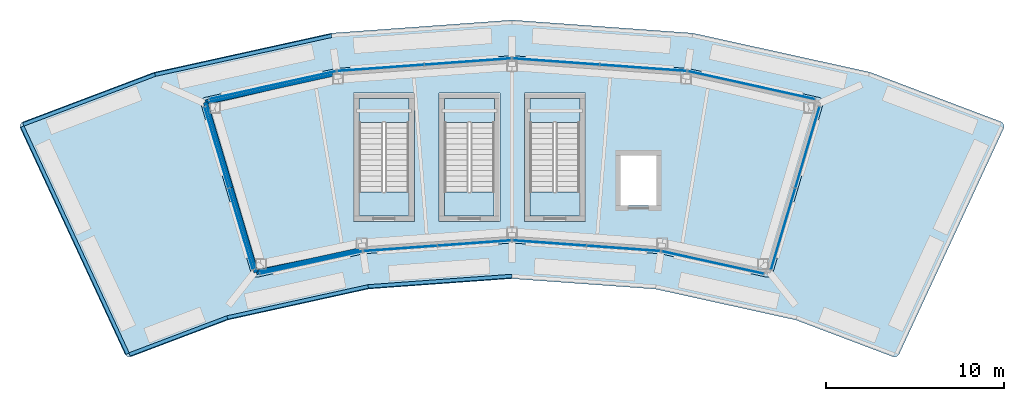
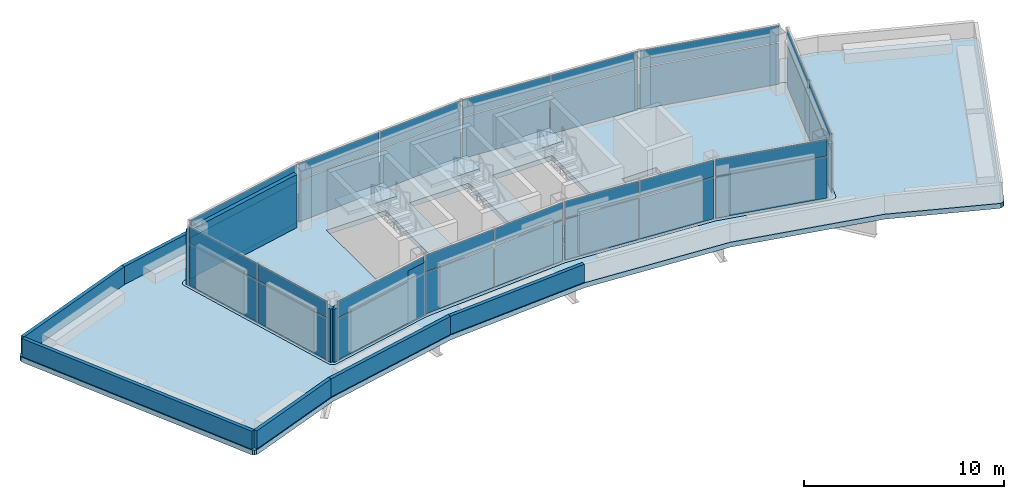
# One storey, part 4 of 7: 32 plates, 10 walls, 8 slabs, 13 elements without a shape of their own.
"""IFC4 building model written with IfcOpenShell, lengths in metres."""

from ifc_helpers import new_model, si_unit, direction, frame, frame_2d, origin, origin_2d, place, context, subcontext, project, spatial, polyline, rectangle, outline, extrude, material, layer, layer_set, type_object, element, aggregate, save


model = new_model("IFC4")

# Units and contexts
model_context = context("Model", 3, precision=1e-05, world=origin(), true_north=direction((0.0, 1.0)))
body_context = subcontext(model_context, "Body", "Model", "MODEL_VIEW")
ifc_project = project(units=[si_unit("LENGTHUNIT", "METRE"), si_unit("AREAUNIT", "SQUARE_METRE"), si_unit("VOLUMEUNIT", "CUBIC_METRE"), si_unit("PLANEANGLEUNIT", "RADIAN"), si_unit("MASSUNIT", "GRAM", prefix="KILO")], contexts=[model_context])

# Site, building, storey
site_placement = place(None, origin())
site = spatial("IfcSite", under=ifc_project, at=site_placement, CompositionType="ELEMENT")
building_placement = place(site_placement, origin())
building = spatial("IfcBuilding", under=site, at=building_placement, Name="Tuul Gate Civic Tower", CompositionType="ELEMENT")
storey_placement = place(building_placement, frame((0.0, 0.0, 376.10009765625)))
storey = spatial("IfcBuildingStorey", under=building, at=storey_placement, Name="Crown tier 3 lower", CompositionType="ELEMENT", Elevation=376.10009765625)

# Curtain wall, plates
ifc_material_1 = material(Name="Aluminium", Category="aluminium")
ifc_layer_1 = layer(ifc_material_1, 0.199951171875)
ifc_layer_set_1 = layer_set([ifc_layer_1], Name="Aluminium")
curtain_wall_type = type_object("IfcCurtainWallType", Name="Curtain wall CW5", PredefinedType="NOTDEFINED", material=ifc_layer_set_1)
curtain_wall_1_placement = place(storey_placement, origin())
curtain_wall_1 = element("IfcCurtainWall", 1, at=curtain_wall_1_placement, inside=storey, type_object=curtain_wall_type, Name="Curtain wall CW5", PredefinedType="NOTDEFINED")
ifc_material_2 = material(Name="Insulated glass", Category="glass")
ifc_layer_2 = layer(ifc_material_2, 0.030029296875)
ifc_layer_set_2 = layer_set([ifc_layer_2], Name="Insulated glass")
plate_type = type_object("IfcPlateType", Name="CW5 panel", PredefinedType="CURTAIN_PANEL", material=ifc_layer_set_2)
plate_1_placement = place(storey_placement, frame((15.650390625, 6.75390625, 0.06005859375), z_axis=(0.0, 0.0, 1.0), x_axis=(-0.97654844946, 0.215297760919, 0.0)))
plate_1 = element("IfcPlate", 2, at=plate_1_placement, type_object=plate_type, Name="Panel", PredefinedType="CURTAIN_PANEL", context=body_context, shape_type="SweptSolid", body=[
    extrude(rectangle(XDim=7.2744140625, YDim=0.030029296875, at=origin_2d()), origin(), (0.0, 0.0, 1.0), 2.510009765625),
])
plate_2_placement = place(storey_placement, frame((15.650390625, 6.75390625, 2.6298828125), z_axis=(0.0, 0.0, 1.0), x_axis=(-0.97654844946, 0.215297760919, 0.0)))
plate_2 = element("IfcPlate", 3, at=plate_2_placement, type_object=plate_type, Name="Panel", PredefinedType="CURTAIN_PANEL", context=body_context, shape_type="SweptSolid", body=[
    extrude(rectangle(XDim=7.2744140625, YDim=0.030029296875, at=origin_2d()), origin(), (0.0, 0.0, 1.0), 1.010009765625),
])
aggregate(curtain_wall_1, [plate_1, plate_2])

curtain_wall_2_placement = place(storey_placement, origin())
curtain_wall_2 = element("IfcCurtainWall", 4, at=curtain_wall_2_placement, inside=storey, type_object=curtain_wall_type, Name="Curtain wall CW5", PredefinedType="NOTDEFINED")
plate_3_placement = place(storey_placement, frame((9.56298828125, 7.729248046875, 0.06005859375), z_axis=(0.0, 0.0, 1.0), x_axis=(-0.997389343704, 0.072211474614, 0.0)))
plate_3 = element("IfcPlate", 5, at=plate_3_placement, type_object=plate_type, Name="Panel", PredefinedType="CURTAIN_PANEL", context=body_context, shape_type="SweptSolid", body=[
    extrude(rectangle(XDim=4.846923828125, YDim=0.030029296875, at=origin_2d()), origin(), (0.0, 0.0, 1.0), 2.510009765625),
])
plate_4_placement = place(storey_placement, frame((9.56298828125, 7.729248046875, 2.6298828125), z_axis=(0.0, 0.0, 1.0), x_axis=(-0.997389343704, 0.072211474614, 0.0)))
plate_4 = element("IfcPlate", 6, at=plate_4_placement, type_object=plate_type, Name="Panel", PredefinedType="CURTAIN_PANEL", context=body_context, shape_type="SweptSolid", body=[
    extrude(rectangle(XDim=4.846923828125, YDim=0.030029296875, at=origin_2d()), origin(), (0.0, 0.0, 1.0), 1.010009765625),
])
plate_5_placement = place(storey_placement, frame((4.6689453125, 8.083740234375, 0.06005859375), z_axis=(0.0, 0.0, 1.0), x_axis=(-0.997389343704, 0.072211474614, 0.0)))
plate_5 = element("IfcPlate", 7, at=plate_5_placement, type_object=plate_type, Name="Panel", PredefinedType="CURTAIN_PANEL", context=body_context, shape_type="SweptSolid", body=[
    extrude(rectangle(XDim=4.846923828125, YDim=0.030029296875, at=origin_2d()), origin(), (0.0, 0.0, 1.0), 2.510009765625),
])
plate_6_placement = place(storey_placement, frame((4.6689453125, 8.083740234375, 2.6298828125), z_axis=(0.0, 0.0, 1.0), x_axis=(-0.997389343704, 0.072211474614, 0.0)))
plate_6 = element("IfcPlate", 8, at=plate_6_placement, type_object=plate_type, Name="Panel", PredefinedType="CURTAIN_PANEL", context=body_context, shape_type="SweptSolid", body=[
    extrude(rectangle(XDim=4.846923828125, YDim=0.030029296875, at=origin_2d()), origin(), (0.0, 0.0, 1.0), 1.010009765625),
])
aggregate(curtain_wall_2, [plate_3, plate_4, plate_5, plate_6])

curtain_wall_3_placement = place(storey_placement, origin())
curtain_wall_3 = element("IfcCurtainWall", 9, at=curtain_wall_3_placement, inside=storey, type_object=curtain_wall_type, Name="Curtain wall CW5", PredefinedType="NOTDEFINED")
plate_7_placement = place(storey_placement, frame((-0.284912109375, 8.083740234375, 0.06005859375), z_axis=(0.0, 0.0, 1.0), x_axis=(-0.997389343704, -0.072211474614, 0.0)))
plate_7 = element("IfcPlate", 10, at=plate_7_placement, type_object=plate_type, Name="Panel", PredefinedType="CURTAIN_PANEL", context=body_context, shape_type="SweptSolid", body=[
    extrude(rectangle(XDim=4.846923828125, YDim=0.030029296875, at=origin_2d()), origin(), (0.0, 0.0, 1.0), 2.510009765625),
])
plate_8_placement = place(storey_placement, frame((-0.284912109375, 8.083740234375, 2.6298828125), z_axis=(0.0, 0.0, 1.0), x_axis=(-0.997389343704, -0.072211474614, 0.0)))
plate_8 = element("IfcPlate", 11, at=plate_8_placement, type_object=plate_type, Name="Panel", PredefinedType="CURTAIN_PANEL", context=body_context, shape_type="SweptSolid", body=[
    extrude(rectangle(XDim=4.846923828125, YDim=0.030029296875, at=origin_2d()), origin(), (0.0, 0.0, 1.0), 1.010009765625),
])
plate_9_placement = place(storey_placement, frame((-5.178955078125, 7.729248046875, 0.06005859375), z_axis=(0.0, 0.0, 1.0), x_axis=(-0.997389343704, -0.072211474614, 0.0)))
plate_9 = element("IfcPlate", 12, at=plate_9_placement, type_object=plate_type, Name="Panel", PredefinedType="CURTAIN_PANEL", context=body_context, shape_type="SweptSolid", body=[
    extrude(rectangle(XDim=4.846923828125, YDim=0.030029296875, at=origin_2d()), origin(), (0.0, 0.0, 1.0), 2.510009765625),
])
plate_10_placement = place(storey_placement, frame((-5.178955078125, 7.729248046875, 2.6298828125), z_axis=(0.0, 0.0, 1.0), x_axis=(-0.997389343704, -0.072211474614, 0.0)))
plate_10 = element("IfcPlate", 13, at=plate_10_placement, type_object=plate_type, Name="Panel", PredefinedType="CURTAIN_PANEL", context=body_context, shape_type="SweptSolid", body=[
    extrude(rectangle(XDim=4.846923828125, YDim=0.030029296875, at=origin_2d()), origin(), (0.0, 0.0, 1.0), 1.010009765625),
])
aggregate(curtain_wall_3, [plate_7, plate_8, plate_9, plate_10])

curtain_wall_4_placement = place(storey_placement, origin())
curtain_wall_4 = element("IfcCurtainWall", 14, at=curtain_wall_4_placement, inside=storey, type_object=curtain_wall_type, Name="Curtain wall CW5", PredefinedType="NOTDEFINED")
plate_11_placement = place(storey_placement, frame((-11.2666015625, 6.75390625, 0.06005859375), z_axis=(0.0, 0.0, 1.0), x_axis=(-0.97654844946, -0.215297760919, 0.0)))
plate_11 = element("IfcPlate", 15, at=plate_11_placement, type_object=plate_type, Name="Panel", PredefinedType="CURTAIN_PANEL", context=body_context, shape_type="SweptSolid", body=[
    extrude(rectangle(XDim=7.2744140625, YDim=0.030029296875, at=origin_2d()), origin(), (0.0, 0.0, 1.0), 2.510009765625),
])
plate_12_placement = place(storey_placement, frame((-11.2666015625, 6.75390625, 2.6298828125), z_axis=(0.0, 0.0, 1.0), x_axis=(-0.97654844946, -0.215297760919, 0.0)))
plate_12 = element("IfcPlate", 16, at=plate_12_placement, type_object=plate_type, Name="Panel", PredefinedType="CURTAIN_PANEL", context=body_context, shape_type="SweptSolid", body=[
    extrude(rectangle(XDim=7.2744140625, YDim=0.030029296875, at=origin_2d()), origin(), (0.0, 0.0, 1.0), 1.010009765625),
])
aggregate(curtain_wall_4, [plate_11, plate_12])

curtain_wall_5_placement = place(storey_placement, origin())
curtain_wall_5 = element("IfcCurtainWall", 17, at=curtain_wall_5_placement, inside=storey, type_object=curtain_wall_type, Name="Curtain wall CW5", PredefinedType="NOTDEFINED")
plate_13_placement = place(storey_placement, frame((-14.409423828125, 3.259033203125, 0.06005859375), z_axis=(0.0, 0.0, 1.0), x_axis=(0.285174064481, -0.95847574458, 0.0)))
plate_13 = element("IfcPlate", 18, at=plate_13_placement, type_object=plate_type, Name="Panel", PredefinedType="CURTAIN_PANEL", context=body_context, shape_type="SweptSolid", body=[
    extrude(rectangle(XDim=4.722900390625, YDim=0.030029296875, at=origin_2d()), origin(), (0.0, 0.0, 1.0), 2.510009765625),
])
plate_14_placement = place(storey_placement, frame((-14.409423828125, 3.259033203125, 2.6298828125), z_axis=(0.0, 0.0, 1.0), x_axis=(0.285174064481, -0.95847574458, 0.0)))
plate_14 = element("IfcPlate", 19, at=plate_14_placement, type_object=plate_type, Name="Panel", PredefinedType="CURTAIN_PANEL", context=body_context, shape_type="SweptSolid", body=[
    extrude(rectangle(XDim=4.722900390625, YDim=0.030029296875, at=origin_2d()), origin(), (0.0, 0.0, 1.0), 1.010009765625),
])
plate_15_placement = place(storey_placement, frame((-13.04541015625, -1.3251953125, 0.06005859375), z_axis=(0.0, 0.0, 1.0), x_axis=(0.285174064481, -0.95847574458, 0.0)))
plate_15 = element("IfcPlate", 20, at=plate_15_placement, type_object=plate_type, Name="Panel", PredefinedType="CURTAIN_PANEL", context=body_context, shape_type="SweptSolid", body=[
    extrude(rectangle(XDim=4.722900390625, YDim=0.030029296875, at=origin_2d()), origin(), (0.0, 0.0, 1.0), 2.510009765625),
])
plate_16_placement = place(storey_placement, frame((-13.04541015625, -1.3251953125, 2.6298828125), z_axis=(0.0, 0.0, 1.0), x_axis=(0.285174064481, -0.95847574458, 0.0)))
plate_16 = element("IfcPlate", 21, at=plate_16_placement, type_object=plate_type, Name="Panel", PredefinedType="CURTAIN_PANEL", context=body_context, shape_type="SweptSolid", body=[
    extrude(rectangle(XDim=4.722900390625, YDim=0.030029296875, at=origin_2d()), origin(), (0.0, 0.0, 1.0), 1.010009765625),
])
aggregate(curtain_wall_5, [plate_13, plate_14, plate_15, plate_16])

curtain_wall_6_placement = place(storey_placement, origin())
curtain_wall_6 = element("IfcCurtainWall", 22, at=curtain_wall_6_placement, inside=storey, type_object=curtain_wall_type, Name="Curtain wall CW5", PredefinedType="NOTDEFINED")
plate_17_placement = place(storey_placement, frame((-9.092529296875, -3.21142578125, 0.06005859375), z_axis=(0.0, 0.0, 1.0), x_axis=(0.976560605916, 0.215242614215, 0.0)))
plate_17 = element("IfcPlate", 23, at=plate_17_placement, type_object=plate_type, Name="Panel", PredefinedType="CURTAIN_PANEL", context=body_context, shape_type="SweptSolid", body=[
    extrude(rectangle(XDim=5.8408203125, YDim=0.030029296875, at=origin_2d()), origin(), (0.0, 0.0, 1.0), 2.510009765625),
])
plate_18_placement = place(storey_placement, frame((-9.092529296875, -3.21142578125, 2.6298828125), z_axis=(0.0, 0.0, 1.0), x_axis=(0.976560605916, 0.215242614215, 0.0)))
plate_18 = element("IfcPlate", 24, at=plate_18_placement, type_object=plate_type, Name="Panel", PredefinedType="CURTAIN_PANEL", context=body_context, shape_type="SweptSolid", body=[
    extrude(rectangle(XDim=5.8408203125, YDim=0.030029296875, at=origin_2d()), origin(), (0.0, 0.0, 1.0), 1.010009765625),
])
aggregate(curtain_wall_6, [plate_17, plate_18])

curtain_wall_7_placement = place(storey_placement, origin())
curtain_wall_7 = element("IfcCurtainWall", 25, at=curtain_wall_7_placement, inside=storey, type_object=curtain_wall_type, Name="Curtain wall CW5", PredefinedType="NOTDEFINED")
plate_19_placement = place(storey_placement, frame((-4.073486328125, -2.41748046875, 0.06005859375), z_axis=(0.0, 0.0, 1.0), x_axis=(0.997391759508, 0.072178099624, 0.0)))
plate_19 = element("IfcPlate", 26, at=plate_19_placement, type_object=plate_type, Name="Panel", PredefinedType="CURTAIN_PANEL", context=body_context, shape_type="SweptSolid", body=[
    extrude(rectangle(XDim=4.10791015625, YDim=0.030029296875, at=origin_2d()), origin(), (0.0, 0.0, 1.0), 2.510009765625),
])
plate_20_placement = place(storey_placement, frame((-4.073486328125, -2.41748046875, 2.6298828125), z_axis=(0.0, 0.0, 1.0), x_axis=(0.997391759508, 0.072178099624, 0.0)))
plate_20 = element("IfcPlate", 27, at=plate_20_placement, type_object=plate_type, Name="Panel", PredefinedType="CURTAIN_PANEL", context=body_context, shape_type="SweptSolid", body=[
    extrude(rectangle(XDim=4.10791015625, YDim=0.030029296875, at=origin_2d()), origin(), (0.0, 0.0, 1.0), 1.010009765625),
])
plate_21_placement = place(storey_placement, frame((0.08349609375, -2.11669921875, 0.06005859375), z_axis=(0.0, 0.0, 1.0), x_axis=(0.997391759508, 0.072178099624, 0.0)))
plate_21 = element("IfcPlate", 28, at=plate_21_placement, type_object=plate_type, Name="Panel", PredefinedType="CURTAIN_PANEL", context=body_context, shape_type="SweptSolid", body=[
    extrude(rectangle(XDim=4.10791015625, YDim=0.030029296875, at=origin_2d()), origin(), (0.0, 0.0, 1.0), 2.510009765625),
])
plate_22_placement = place(storey_placement, frame((0.08349609375, -2.11669921875, 2.6298828125), z_axis=(0.0, 0.0, 1.0), x_axis=(0.997391759508, 0.072178099624, 0.0)))
plate_22 = element("IfcPlate", 29, at=plate_22_placement, type_object=plate_type, Name="Panel", PredefinedType="CURTAIN_PANEL", context=body_context, shape_type="SweptSolid", body=[
    extrude(rectangle(XDim=4.10791015625, YDim=0.030029296875, at=origin_2d()), origin(), (0.0, 0.0, 1.0), 1.010009765625),
])
aggregate(curtain_wall_7, [plate_19, plate_20, plate_21, plate_22])

curtain_wall_8_placement = place(storey_placement, origin())
curtain_wall_8 = element("IfcCurtainWall", 30, at=curtain_wall_8_placement, inside=storey, type_object=curtain_wall_type, Name="Curtain wall CW5", PredefinedType="NOTDEFINED")
plate_23_placement = place(storey_placement, frame((4.300537109375, -2.11669921875, 0.06005859375), z_axis=(0.0, 0.0, 1.0), x_axis=(0.997391759508, -0.072178099624, 0.0)))
plate_23 = element("IfcPlate", 31, at=plate_23_placement, type_object=plate_type, Name="Panel", PredefinedType="CURTAIN_PANEL", context=body_context, shape_type="SweptSolid", body=[
    extrude(rectangle(XDim=4.10791015625, YDim=0.030029296875, at=origin_2d()), origin(), (0.0, 0.0, 1.0), 2.510009765625),
])
plate_24_placement = place(storey_placement, frame((4.300537109375, -2.11669921875, 2.6298828125), z_axis=(0.0, 0.0, 1.0), x_axis=(0.997391759508, -0.072178099624, 0.0)))
plate_24 = element("IfcPlate", 32, at=plate_24_placement, type_object=plate_type, Name="Panel", PredefinedType="CURTAIN_PANEL", context=body_context, shape_type="SweptSolid", body=[
    extrude(rectangle(XDim=4.10791015625, YDim=0.030029296875, at=origin_2d()), origin(), (0.0, 0.0, 1.0), 1.010009765625),
])
plate_25_placement = place(storey_placement, frame((8.45751953125, -2.41748046875, 0.06005859375), z_axis=(0.0, 0.0, 1.0), x_axis=(0.997391759508, -0.072178099624, 0.0)))
plate_25 = element("IfcPlate", 33, at=plate_25_placement, type_object=plate_type, Name="Panel", PredefinedType="CURTAIN_PANEL", context=body_context, shape_type="SweptSolid", body=[
    extrude(rectangle(XDim=4.10791015625, YDim=0.030029296875, at=origin_2d()), origin(), (0.0, 0.0, 1.0), 2.510009765625),
])
plate_26_placement = place(storey_placement, frame((8.45751953125, -2.41748046875, 2.6298828125), z_axis=(0.0, 0.0, 1.0), x_axis=(0.997391759508, -0.072178099624, 0.0)))
plate_26 = element("IfcPlate", 34, at=plate_26_placement, type_object=plate_type, Name="Panel", PredefinedType="CURTAIN_PANEL", context=body_context, shape_type="SweptSolid", body=[
    extrude(rectangle(XDim=4.10791015625, YDim=0.030029296875, at=origin_2d()), origin(), (0.0, 0.0, 1.0), 1.010009765625),
])
aggregate(curtain_wall_8, [plate_23, plate_24, plate_25, plate_26])

curtain_wall_9_placement = place(storey_placement, origin())
curtain_wall_9 = element("IfcCurtainWall", 35, at=curtain_wall_9_placement, inside=storey, type_object=curtain_wall_type, Name="Curtain wall CW5", PredefinedType="NOTDEFINED")
plate_27_placement = place(storey_placement, frame((13.4765625, -3.21142578125, 0.06005859375), z_axis=(0.0, 0.0, 1.0), x_axis=(0.976560605916, -0.215242614215, 0.0)))
plate_27 = element("IfcPlate", 36, at=plate_27_placement, type_object=plate_type, Name="Panel", PredefinedType="CURTAIN_PANEL", context=body_context, shape_type="SweptSolid", body=[
    extrude(rectangle(XDim=5.8408203125, YDim=0.030029296875, at=origin_2d()), origin(), (0.0, 0.0, 1.0), 2.510009765625),
])
plate_28_placement = place(storey_placement, frame((13.4765625, -3.21142578125, 2.6298828125), z_axis=(0.0, 0.0, 1.0), x_axis=(0.976560605916, -0.215242614215, 0.0)))
plate_28 = element("IfcPlate", 37, at=plate_28_placement, type_object=plate_type, Name="Panel", PredefinedType="CURTAIN_PANEL", context=body_context, shape_type="SweptSolid", body=[
    extrude(rectangle(XDim=5.8408203125, YDim=0.030029296875, at=origin_2d()), origin(), (0.0, 0.0, 1.0), 1.010009765625),
])
aggregate(curtain_wall_9, [plate_27, plate_28])

curtain_wall_10_placement = place(storey_placement, origin())
curtain_wall_10 = element("IfcCurtainWall", 38, at=curtain_wall_10_placement, inside=storey, type_object=curtain_wall_type, Name="Curtain wall CW5", PredefinedType="NOTDEFINED")
plate_29_placement = place(storey_placement, frame((17.429443359375, -1.3251953125, 0.06005859375), z_axis=(0.0, 0.0, 1.0), x_axis=(0.285174064481, 0.95847574458, 0.0)))
plate_29 = element("IfcPlate", 39, at=plate_29_placement, type_object=plate_type, Name="Panel", PredefinedType="CURTAIN_PANEL", context=body_context, shape_type="SweptSolid", body=[
    extrude(rectangle(XDim=4.722900390625, YDim=0.030029296875, at=origin_2d()), origin(), (0.0, 0.0, 1.0), 2.510009765625),
])
plate_30_placement = place(storey_placement, frame((17.429443359375, -1.3251953125, 2.6298828125), z_axis=(0.0, 0.0, 1.0), x_axis=(0.285174064481, 0.95847574458, 0.0)))
plate_30 = element("IfcPlate", 40, at=plate_30_placement, type_object=plate_type, Name="Panel", PredefinedType="CURTAIN_PANEL", context=body_context, shape_type="SweptSolid", body=[
    extrude(rectangle(XDim=4.722900390625, YDim=0.030029296875, at=origin_2d()), origin(), (0.0, 0.0, 1.0), 1.010009765625),
])
plate_31_placement = place(storey_placement, frame((18.79345703125, 3.259033203125, 0.06005859375), z_axis=(0.0, 0.0, 1.0), x_axis=(0.285174064481, 0.95847574458, 0.0)))
plate_31 = element("IfcPlate", 41, at=plate_31_placement, type_object=plate_type, Name="Panel", PredefinedType="CURTAIN_PANEL", context=body_context, shape_type="SweptSolid", body=[
    extrude(rectangle(XDim=4.722900390625, YDim=0.030029296875, at=origin_2d()), origin(), (0.0, 0.0, 1.0), 2.510009765625),
])
plate_32_placement = place(storey_placement, frame((18.79345703125, 3.259033203125, 2.6298828125), z_axis=(0.0, 0.0, 1.0), x_axis=(0.285174064481, 0.95847574458, 0.0)))
plate_32 = element("IfcPlate", 42, at=plate_32_placement, type_object=plate_type, Name="Panel", PredefinedType="CURTAIN_PANEL", context=body_context, shape_type="SweptSolid", body=[
    extrude(rectangle(XDim=4.722900390625, YDim=0.030029296875, at=origin_2d()), origin(), (0.0, 0.0, 1.0), 1.010009765625),
])
aggregate(curtain_wall_10, [plate_29, plate_30, plate_31, plate_32])

# Stair, slab
ifc_material_3 = material(Name="Concrete C40/50", Category="concrete")
stair_type = type_object("IfcStairType", Name="Exit stair", PredefinedType="HALF_TURN_STAIR", material=ifc_material_3)
stair_1_placement = place(storey_placement, origin())
stair_1 = element("IfcStair", 43, at=stair_1_placement, inside=storey, type_object=stair_type, Name="Crown tier 3 lower ST-5", PredefinedType="HALF_TURN_STAIR")
ifc_material_4 = material(Name="Concrete C40/50", Category="concrete")
ifc_layer_3 = layer(ifc_material_4, 0.199951171875)
ifc_layer_set_3 = layer_set([ifc_layer_3], Name="Concrete C40/50")
slab_type_1 = type_object("IfcSlabType", Name="Exit stair landing", PredefinedType="LANDING", material=ifc_layer_set_3)
slab_1_placement = place(storey_placement, frame((0.0, 0.0, 1.7998046875)))
slab_1 = element("IfcSlab", 44, at=slab_1_placement, type_object=slab_type_1, Name="ST-5 landing 1", PredefinedType="LANDING", context=body_context, shape_type="SweptSolid", body=[
    extrude(outline(polyline([(-3.59912109375, 4.649169921875), (-6.40087890625, 4.649169921875), (-6.40087890625, 6.000732421875), (-3.59912109375, 6.000732421875), (-3.59912109375, 4.649169921875)])), origin(), (0.0, 0.0, 1.0), 0.2001953125),
])
aggregate(stair_1, [slab_1])

stair_2_placement = place(storey_placement, origin())
stair_2 = element("IfcStair", 45, at=stair_2_placement, inside=storey, type_object=stair_type, Name="Crown tier 3 lower ST-6", PredefinedType="HALF_TURN_STAIR")
slab_2_placement = place(storey_placement, frame((0.0, 0.0, 1.7998046875)))
slab_2 = element("IfcSlab", 46, at=slab_2_placement, type_object=slab_type_1, Name="ST-6 landing 1", PredefinedType="LANDING", context=body_context, shape_type="SweptSolid", body=[
    extrude(outline(polyline([(1.20068359375, 4.649169921875), (-1.600830078125, 4.649169921875), (-1.600830078125, 6.000732421875), (1.20068359375, 6.000732421875), (1.20068359375, 4.649169921875)])), origin(), (0.0, 0.0, 1.0), 0.2001953125),
])
aggregate(stair_2, [slab_2])

stair_3_placement = place(storey_placement, origin())
stair_3 = element("IfcStair", 47, at=stair_3_placement, inside=storey, type_object=stair_type, Name="Crown tier 3 lower ST-7", PredefinedType="HALF_TURN_STAIR")
slab_3_placement = place(storey_placement, frame((0.0, 0.0, 1.7998046875)))
slab_3 = element("IfcSlab", 48, at=slab_3_placement, type_object=slab_type_1, Name="ST-7 landing 1", PredefinedType="LANDING", context=body_context, shape_type="SweptSolid", body=[
    extrude(outline(polyline([(6.000732421875, 4.649169921875), (3.19921875, 4.649169921875), (3.19921875, 6.000732421875), (6.000732421875, 6.000732421875), (6.000732421875, 4.649169921875)])), origin(), (0.0, 0.0, 1.0), 0.2001953125),
])
aggregate(stair_3, [slab_3])

# Slabs
ifc_material_5 = material(Name="Concrete C35/45", Category="concrete")
ifc_layer_4 = layer(ifc_material_5, 0.300048828125)
ifc_layer_set_4 = layer_set([ifc_layer_4], Name="Concrete C35/45")
slab_type_2 = type_object("IfcSlabType", Name="STR-FLOOR-SLAB-300", PredefinedType="FLOOR", material=ifc_layer_set_4)
slab_4_placement = place(storey_placement, frame((0.0, 0.0, -0.300048828125)))
element("IfcSlab", 49, at=slab_4_placement, inside=storey, type_object=slab_type_2, Name="Crown tier 3 lower/slab/M", PredefinedType="FLOOR", context=body_context, shape_type="SweptSolid", body=[
    extrude(outline(polyline([(16.7919921875, -3.9208984375), (16.843017578125, -3.822021484375), (19.674072265625, 5.69189453125), (19.68408203125, 5.81298828125), (19.64501953125, 5.928955078125), (19.56298828125, 6.02001953125), (19.450927734375, 6.070068359375), (12.06103515625, 7.698974609375), (2.19189453125, 8.4140625), (-7.677001953125, 7.698974609375), (-15.06689453125, 6.070068359375), (-15.178955078125, 6.02001953125), (-15.260986328125, 5.928955078125), (-15.300048828125, 5.81298828125), (-15.2900390625, 5.69189453125), (-12.458984375, -3.822021484375), (-12.407958984375, -3.9208984375), (-12.323974609375, -3.9951171875), (-12.218994140625, -4.032958984375), (-12.10693359375, -4.030029296875), (-6.159912109375, -2.718994140625), (2.19189453125, -2.114013671875), (10.5439453125, -2.718994140625), (16.490966796875, -4.030029296875), (16.60302734375, -4.032958984375), (16.7080078125, -3.9951171875), (16.7919921875, -3.9208984375)]), holes=[polyline([(10.300048828125, 0.0), (8.300048828125, 0.0), (8.300048828125, 2.800048828125), (10.300048828125, 2.800048828125), (10.300048828125, 0.0)]), polyline([(-6.7099609375, -0.909912109375), (-6.7099609375, 6.31005859375), (-3.2900390625, 6.31005859375), (-3.2900390625, -0.909912109375), (-6.7099609375, -0.909912109375)]), polyline([(-1.909912109375, -0.909912109375), (-1.909912109375, 6.31005859375), (1.510009765625, 6.31005859375), (1.510009765625, -0.909912109375), (-1.909912109375, -0.909912109375)]), polyline([(2.889892578125, -0.909912109375), (2.889892578125, 6.31005859375), (6.31005859375, 6.31005859375), (6.31005859375, -0.909912109375), (2.889892578125, -0.909912109375)])]), origin(), (0.0, 0.0, 1.0), 0.300048828125),
])
slab_5_placement = place(storey_placement, frame((0.0, 0.0, -0.300048828125)))
element("IfcSlab", 50, at=slab_5_placement, inside=storey, type_object=slab_type_2, Name="Crown tier 3 lower/slab/M2", PredefinedType="FLOOR", context=body_context, shape_type="SweptSolid", body=[
    extrude(outline(polyline([(-3.610107421875, 0.75), (-6.389892578125, 0.75), (-6.389892578125, -0.590087890625), (-3.610107421875, -0.590087890625), (-3.610107421875, 0.75)])), origin(), (0.0, 0.0, 1.0), 0.300048828125),
])
slab_6_placement = place(storey_placement, frame((0.0, 0.0, -0.300048828125)))
element("IfcSlab", 51, at=slab_6_placement, inside=storey, type_object=slab_type_2, Name="Crown tier 3 lower/slab/M3", PredefinedType="FLOOR", context=body_context, shape_type="SweptSolid", body=[
    extrude(outline(polyline([(1.18994140625, 0.75), (-1.590087890625, 0.75), (-1.590087890625, -0.590087890625), (1.18994140625, -0.590087890625), (1.18994140625, 0.75)])), origin(), (0.0, 0.0, 1.0), 0.300048828125),
])
slab_7_placement = place(storey_placement, frame((0.0, 0.0, -0.300048828125)))
element("IfcSlab", 52, at=slab_7_placement, inside=storey, type_object=slab_type_2, Name="Crown tier 3 lower/slab/M4", PredefinedType="FLOOR", context=body_context, shape_type="SweptSolid", body=[
    extrude(outline(polyline([(3.2099609375, 0.75), (3.2099609375, -0.590087890625), (5.989990234375, -0.590087890625), (5.989990234375, 0.75), (3.2099609375, 0.75)])), origin(), (0.0, 0.0, 1.0), 0.300048828125),
])
ifc_material_6 = material(Name="Concrete C40/50", Category="concrete")
ifc_layer_5 = layer(ifc_material_6, 0.300048828125)
ifc_layer_set_5 = layer_set([ifc_layer_5], Name="Concrete C40/50")
slab_type_3 = type_object("IfcSlabType", Name="STR-GREEN-ROOF-SLAB-300", PredefinedType="ROOF", material=ifc_layer_set_5)
slab_8_placement = place(storey_placement, frame((0.0, 0.0, -0.300048828125)))
element("IfcSlab", 53, at=slab_8_placement, inside=storey, type_object=slab_type_3, Name="Crown tier 3 lower/terrace/1", PredefinedType="ROOF", context=body_context, shape_type="SweptSolid", body=[
    extrude(outline(polyline([(23.952880859375, -8.340087890625), (23.887939453125, -8.430908203125), (23.794921875, -8.491943359375), (23.68505859375, -8.513916015625), (23.574951171875, -8.4951171875), (18.14990234375, -6.443115234375), (10.2548828125, -4.702880859375), (2.19189453125, -4.118896484375), (-5.87109375, -4.702880859375), (-13.76611328125, -6.443115234375), (-19.19091796875, -8.4951171875), (-19.301025390625, -8.513916015625), (-19.410888671875, -8.491943359375), (-19.50390625, -8.430908203125), (-19.569091796875, -8.340087890625), (-25.427978515625, 4.304931640625), (-25.455078125, 4.424072265625), (-25.43310546875, 4.544921875), (-25.364990234375, 4.64599609375), (-25.260986328125, 4.7119140625), (-17.912109375, 7.490966796875), (-7.966064453125, 9.68310546875), (2.19189453125, 10.4189453125), (12.35009765625, 9.68310546875), (22.2958984375, 7.490966796875), (29.64501953125, 4.7119140625), (29.7490234375, 4.64599609375), (29.81689453125, 4.544921875), (29.839111328125, 4.424072265625), (29.81201171875, 4.304931640625), (23.952880859375, -8.340087890625)]), holes=[polyline([(19.68408203125, 5.81298828125), (19.64501953125, 5.928955078125), (19.56298828125, 6.02001953125), (19.450927734375, 6.070068359375), (12.06103515625, 7.698974609375), (2.19189453125, 8.4140625), (-7.677001953125, 7.698974609375), (-15.06689453125, 6.070068359375), (-15.178955078125, 6.02001953125), (-15.260986328125, 5.928955078125), (-15.300048828125, 5.81298828125), (-15.2900390625, 5.69189453125), (-12.458984375, -3.822021484375), (-12.407958984375, -3.9208984375), (-12.323974609375, -3.9951171875), (-12.218994140625, -4.032958984375), (-12.10693359375, -4.030029296875), (-6.159912109375, -2.718994140625), (2.19189453125, -2.114013671875), (10.5439453125, -2.718994140625), (16.490966796875, -4.030029296875), (16.60302734375, -4.032958984375), (16.7080078125, -3.9951171875), (16.7919921875, -3.9208984375), (16.843017578125, -3.822021484375), (19.674072265625, 5.69189453125), (19.68408203125, 5.81298828125)])]), origin(), (0.0, 0.0, 1.0), 0.300048828125),
])

# Walls
ifc_material_7 = material(Name="Concrete C40/50", Category="concrete")
ifc_layer_6 = layer(ifc_material_7, 0.199951171875)
ifc_layer_set_6 = layer_set([ifc_layer_6], Name="Concrete C40/50")
wall_type_1 = type_object("IfcWallType", Name="Crown parapet", PredefinedType="PARAPET", material=ifc_layer_set_6)
wall_1_placement = place(storey_placement, frame((-7.9443359375, 9.5341796875, 0.0), z_axis=(0.0, 0.0, 1.0), x_axis=(-0.976565963913, -0.215218303422, 0.0)))
element("IfcWall", 54, at=wall_1_placement, inside=storey, type_object=wall_type_1, Name="Parapet", PredefinedType="PARAPET", context=body_context, shape_type="SweptSolid", body=[
    extrude(rectangle(XDim=10.1630859375, YDim=0.199951171875, at=frame_2d((5.08154296875, 0.0))), origin(), (0.0, 0.0, 1.0), 1.099853515625),
])
wall_2_placement = place(storey_placement, frame((-17.869140625, 7.346923828125, 0.0), z_axis=(0.0, 0.0, 1.0), x_axis=(-0.935359897125, -0.353697417083, 0.0)))
element("IfcWall", 55, at=wall_2_placement, inside=storey, type_object=wall_type_1, Name="Parapet", PredefinedType="PARAPET", context=body_context, shape_type="SweptSolid", body=[
    extrude(rectangle(XDim=7.91650390625, YDim=0.199951171875, at=frame_2d((3.958251953125, 0.0))), origin(), (0.0, 0.0, 1.0), 1.099853515625),
])
wall_3_placement = place(storey_placement, frame((-25.321044921875, 4.4306640625, 0.0), z_axis=(0.0, 0.0, 1.0), x_axis=(0.42042233519, -0.907328529296, 0.0)))
element("IfcWall", 56, at=wall_3_placement, inside=storey, type_object=wall_type_1, Name="Parapet", PredefinedType="PARAPET", context=body_context, shape_type="SweptSolid", body=[
    extrude(rectangle(XDim=14.068115234375, YDim=0.199951171875, at=frame_2d((7.0341796875, 0.0))), origin(), (0.0, 0.0, 1.0), 1.099853515625),
])
wall_4_placement = place(storey_placement, frame((-19.302001953125, -8.376708984375, 0.0), z_axis=(0.0, 0.0, 1.0), x_axis=(0.935320836951, 0.353800695257, 0.0)))
element("IfcWall", 57, at=wall_4_placement, inside=storey, type_object=wall_type_1, Name="Parapet", PredefinedType="PARAPET", context=body_context, shape_type="SweptSolid", body=[
    extrude(rectangle(XDim=5.873046875, YDim=0.199951171875, at=frame_2d((2.9365234375, 0.0))), origin(), (0.0, 0.0, 1.0), 1.099853515625),
])
wall_5_placement = place(storey_placement, frame((-13.808837890625, -6.298828125, 0.0), z_axis=(0.0, 0.0, 1.0), x_axis=(0.976565400701, 0.21522085901, 0.0)))
element("IfcWall", 58, at=wall_5_placement, inside=storey, type_object=wall_type_1, Name="Parapet", PredefinedType="PARAPET", context=body_context, shape_type="SweptSolid", body=[
    extrude(rectangle(XDim=8.106201171875, YDim=0.199951171875, at=frame_2d((4.05322265625, 0.0))), origin(), (0.0, 0.0, 1.0), 1.099853515625),
])
wall_6_placement = place(storey_placement, frame((-5.892578125, -4.55419921875, 0.0), z_axis=(0.0, 0.0, 1.0), x_axis=(0.997386023034, 0.072257325278, 0.0)))
element("IfcWall", 59, at=wall_6_placement, inside=storey, type_object=wall_type_1, Name="Parapet", PredefinedType="PARAPET", context=body_context, shape_type="SweptSolid", body=[
    extrude(rectangle(XDim=8.105712890625, YDim=0.199951171875, at=frame_2d((4.052734375, 0.0))), origin(), (0.0, 0.0, 1.0), 1.099853515625),
])
ifc_material_8 = material(Name="Precast concrete C40/50", Category="concrete")
ifc_layer_7 = layer(ifc_material_8, 0.25)
ifc_layer_set_7 = layer_set([ifc_layer_7], Name="Precast concrete C40/50")
wall_type_2 = type_object("IfcWallType", Name="External wall", PredefinedType="STANDARD", material=ifc_layer_set_7)
wall_7_placement = place(storey_placement, frame((-7.89111328125, 7.3701171875, 0.0), z_axis=(0.0, 0.0, 1.0), x_axis=(-0.976548548594, -0.215297311267, 0.0)))
element("IfcWall", 60, at=wall_7_placement, inside=storey, type_object=wall_type_2, Name="External wall", PredefinedType="STANDARD", context=body_context, shape_type="SweptSolid", body=[
    extrude(rectangle(XDim=7.314208984375, YDim=0.25, at=frame_2d((3.6572265625, 0.0))), origin(), (0.0, 0.0, 1.0), 3.25),
])
wall_8_placement = place(storey_placement, frame((-15.03369140625, 5.79541015625, 0.0), z_axis=(0.0, 0.0, 1.0), x_axis=(0.285183646832, -0.958472893503, 0.0)))
element("IfcWall", 61, at=wall_8_placement, inside=storey, type_object=wall_type_2, Name="External wall", PredefinedType="STANDARD", context=body_context, shape_type="SweptSolid", body=[
    extrude(rectangle(XDim=5.00048828125, YDim=0.25, at=frame_2d((2.500244140625, 0.0))), origin(), (0.0, 0.0, 1.0), 3.25),
])
wall_9_placement = place(storey_placement, frame((-13.607666015625, 1.002685546875, 0.0), z_axis=(0.0, 0.0, 1.0), x_axis=(0.285159141508, -0.958480184466, 0.0)))
element("IfcWall", 62, at=wall_9_placement, inside=storey, type_object=wall_type_2, Name="External wall", PredefinedType="STANDARD", context=body_context, shape_type="SweptSolid", body=[
    extrude(rectangle(XDim=4.97509765625, YDim=0.25, at=frame_2d((2.487548828125, 0.0))), origin(), (0.0, 0.0, 1.0), 3.25),
])
wall_10_placement = place(storey_placement, frame((-12.18896484375, -3.765869140625, 0.0), z_axis=(0.0, 0.0, 1.0), x_axis=(0.977211729249, 0.212266898547, 0.0)))
element("IfcWall", 63, at=wall_10_placement, inside=storey, type_object=wall_type_2, Name="External wall", PredefinedType="STANDARD", context=body_context, shape_type="SweptSolid", body=[
    extrude(rectangle(XDim=6.22802734375, YDim=0.25, at=frame_2d((3.114013671875, 0.0))), origin(), (0.0, 0.0, 1.0), 3.25),
])

save(model, "model.ifc")
